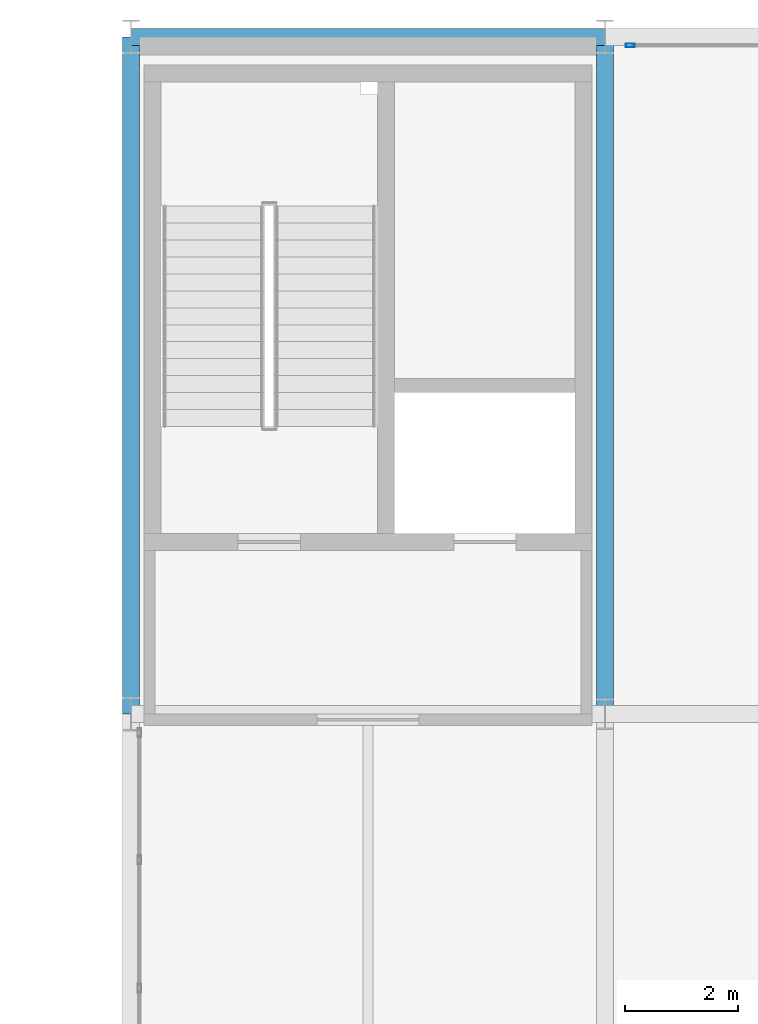
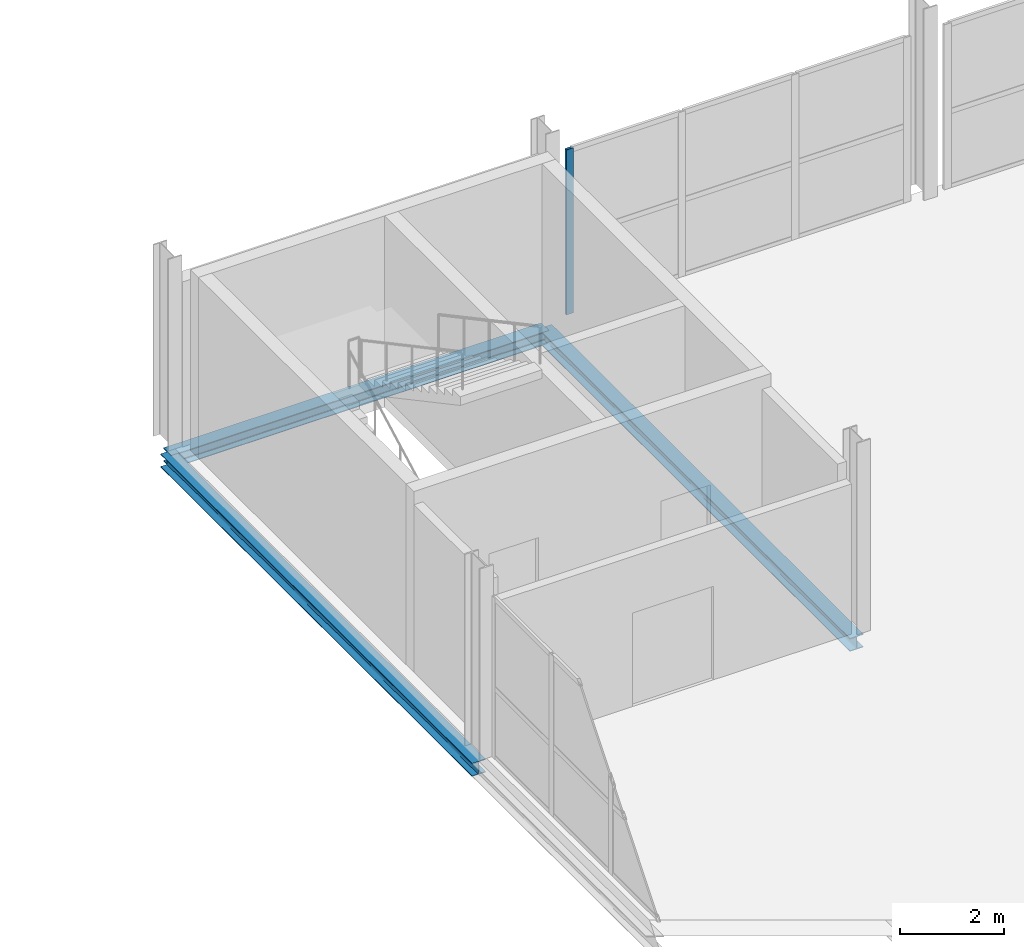
# One storey, part 51 of 109: 3 beams, 1 member, 1 element without a shape of its own.
"""IFC4 building model written with IfcOpenShell, lengths in metres."""

from ifc_helpers import new_model, si_unit, direction, frame, origin, origin_2d, place, context, subcontext, project, spatial, hollow_rectangle, i_section, extrude, material, material_profile, profile_set, type_object, element, aggregate, save


model = new_model("IFC4")

# Units and contexts
model_context = context("Model", 3, precision=1e-05, world=origin(), true_north=direction((0.0, 1.0)))
body_context = subcontext(model_context, "Body", "Model", "MODEL_VIEW")
ifc_project = project(units=[si_unit("LENGTHUNIT", "METRE"), si_unit("AREAUNIT", "SQUARE_METRE"), si_unit("VOLUMEUNIT", "CUBIC_METRE"), si_unit("PLANEANGLEUNIT", "RADIAN"), si_unit("MASSUNIT", "GRAM", prefix="KILO")], contexts=[model_context])

# Site, building, storey
site_placement = place(None, origin())
site = spatial("IfcSite", under=ifc_project, at=site_placement, CompositionType="ELEMENT")
building_placement = place(site_placement, origin())
building = spatial("IfcBuilding", under=site, at=building_placement, Name="Veltarok Museum of Natural Sciences", CompositionType="ELEMENT")
storey_placement = place(building_placement, frame((0.0, 0.0, 17.39990234375)))
storey = spatial("IfcBuildingStorey", under=building, at=storey_placement, Name="L03", CompositionType="ELEMENT", Elevation=17.39990234375)

# Curtain wall, member
ifc_material_1 = material(Name="Low-iron triple insulated glass", Category="glass")
curtain_wall_type = type_object("IfcCurtainWallType", Name="Curtain Wall System CW-V2N-L03-6-756x388 (V2 North Hall L03 6-7 756x388cm)", PredefinedType="NOTDEFINED", material=ifc_material_1)
curtain_wall_placement = place(storey_placement, origin())
curtain_wall = element("IfcCurtainWall", 1, at=curtain_wall_placement, inside=storey, type_object=curtain_wall_type, Name="Curtain Wall CW-V2N-L03-6-756x388 CW-0055", PredefinedType="NOTDEFINED")
ifc_material_2 = material(Name="Thermally broken anodised aluminium", Category="aluminium")
ifc_material_profile_1 = material_profile(ifc_material_2, hollow_rectangle(XDim=0.06005859375, YDim=0.159912109375, WallThickness=0.0048828125, at=origin_2d()), Name="CW MULLION 60x160x5")
ifc_profile_set_1 = profile_set([ifc_material_profile_1], Name="Thermally broken anodised aluminium")
member_type = type_object("IfcMemberType", Name="Curtain Wall Vertical Mullion 60x160x5", PredefinedType="MULLION", material=ifc_profile_set_1)
member_placement = place(storey_placement, frame((48.85009765625, 71.85009765625, 0.0), z_axis=(0.0, 0.0, 1.0), x_axis=(0.0, -1.0, 0.0)))
member = element("IfcMember", 2, at=member_placement, type_object=member_type, Name="CW-V2N-L03-6-756x388 mullion 4", PredefinedType="MULLION", context=body_context, shape_type="SweptSolid", body=[
    extrude(hollow_rectangle(XDim=0.06005859375, YDim=0.159912109375, WallThickness=0.0048828125, at=origin_2d()), origin(), (0.0, 0.0, 1.0), 3.880126953125),
])
aggregate(curtain_wall, [member])

# Beams
ifc_material_3 = material(Name="Steel S355J2", Category="steel")
ifc_material_profile_2 = material_profile(ifc_material_3, i_section(OverallWidth=0.300048828125, OverallDepth=0.31005859375, WebThickness=0.009033203125, FlangeThickness=0.015380859375, FilletRadius=0.027099609375, at=origin_2d()), Name="HEA 320")
ifc_profile_set_2 = profile_set([ifc_material_profile_2], Name="Steel S355J2")
beam_type = type_object("IfcBeamType", Name="Perimeter Edge Spandrel HEA 320", PredefinedType="SPANDREL", material=ifc_profile_set_2)
beam_placement = place(storey_placement, frame((40.0, 72.0, -0.40478515625), z_axis=(1.0, 0.0, 0.0), x_axis=(0.0, 1.0, 0.0)))
element("IfcBeam", 3, at=beam_placement, inside=storey, type_object=beam_type, Name="Beam BM-SP04 L03 5-6/H", PredefinedType="SPANDREL", context=body_context, shape_type="SweptSolid", body=[
    extrude(i_section(OverallWidth=0.300048828125, OverallDepth=0.31005859375, WebThickness=0.009033203125, FlangeThickness=0.015380859375, FilletRadius=0.027099609375, at=origin_2d()), origin(), (0.0, 0.0, 1.0), 8.39990234375),
])
for number, where, z_axis, x_axis, name in (
    (4, (40.0, 60.0, -0.40478515625), (0.0, 1.0, 0.0), (-1.0, 0.0, 0.0), "Beam BM-SP04 L03 5/G-H"),
    (5, (48.39990234375, 60.0, -0.40478515625), (0.0, 1.0, 0.0), (-1.0, 0.0, 0.0), "Beam BM-SP04 L03 6/G-H"),
):
    element("IfcBeam", number, at=place(storey_placement, frame(where, z_axis=z_axis, x_axis=x_axis)), inside=storey, type_object=beam_type, Name=name, PredefinedType="SPANDREL", context=body_context, shape_type="SweptSolid", body=[
        extrude(i_section(OverallWidth=0.300048828125, OverallDepth=0.31005859375, WebThickness=0.009033203125, FlangeThickness=0.015380859375, FilletRadius=0.027099609375, at=origin_2d()), origin(), (0.0, 0.0, 1.0), 12.0),
    ])

save(model, "model.ifc")
